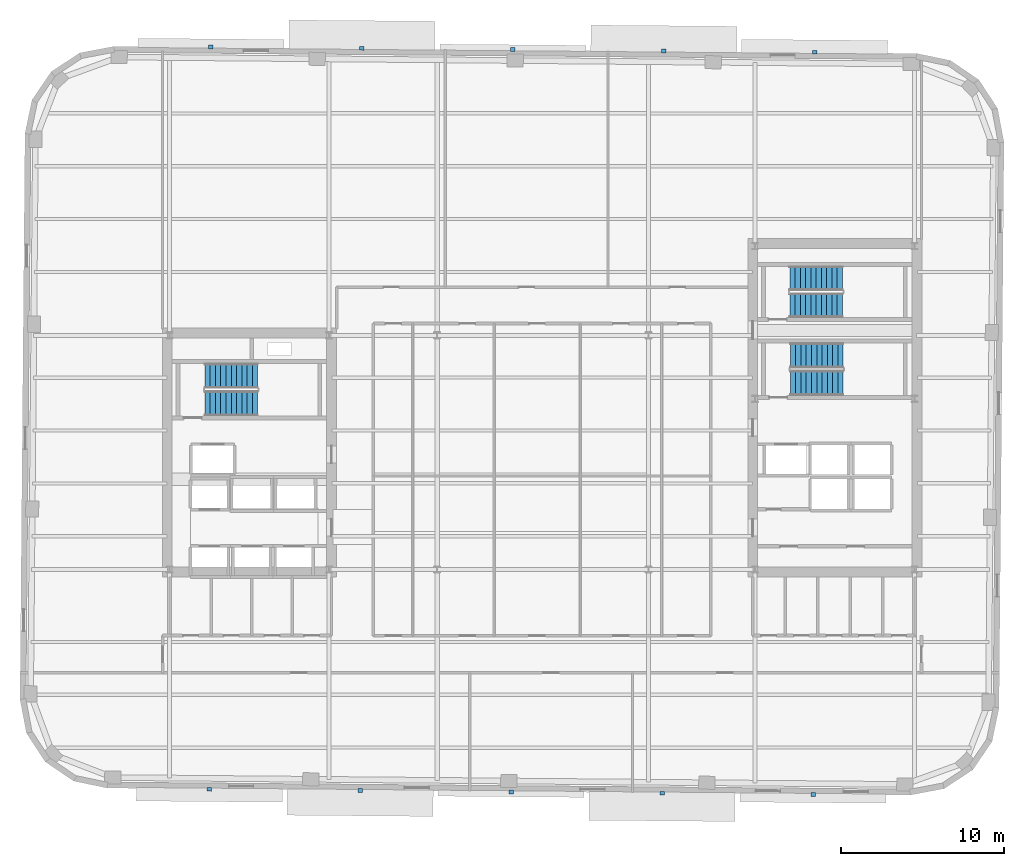
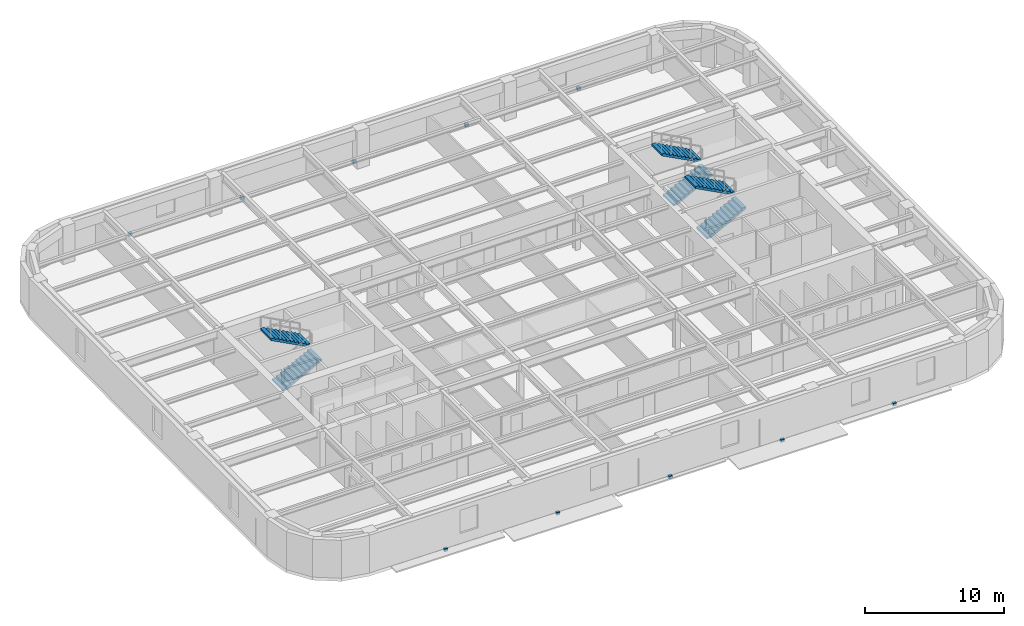
# One storey, part 7 of 11: 10 discrete accessories, 6 stair flights, 3 elements without a shape of their own.
"""IFC4 building model written with IfcOpenShell, lengths in metres."""

from ifc_helpers import new_model, si_unit, direction, frame, origin, origin_2d, place, context, subcontext, project, spatial, polyline, rectangle, outline, extrude, material, type_object, element, aggregate, save


model = new_model("IFC4")

# Units and contexts
model_context = context("Model", 3, precision=1e-05, world=origin(), true_north=direction((0.0, 1.0)))
body_context = subcontext(model_context, "Body", "Model", "MODEL_VIEW")
ifc_project = project(units=[si_unit("LENGTHUNIT", "METRE"), si_unit("AREAUNIT", "SQUARE_METRE"), si_unit("VOLUMEUNIT", "CUBIC_METRE"), si_unit("PLANEANGLEUNIT", "RADIAN"), si_unit("MASSUNIT", "GRAM", prefix="KILO")], contexts=[model_context])

# Site, building, storey
site_placement = place(None, origin())
site = spatial("IfcSite", under=ifc_project, at=site_placement, CompositionType="ELEMENT")
building_placement = place(site_placement, origin())
building = spatial("IfcBuilding", under=site, at=building_placement, Name="Kolvaren Arena Tower", CompositionType="ELEMENT")
storey_placement = place(building_placement, frame((0.0, 0.0, 207.199951171875)))
storey = spatial("IfcBuildingStorey", under=building, at=storey_placement, Name="L50", CompositionType="ELEMENT", Elevation=207.199951171875)

# Stair, stair flights
ifc_material_1 = material(Name="Concrete 45 MPa", Category="concrete")
stair_type_1 = type_object("IfcStairType", Name="STAIR-CORE-150", PredefinedType="HALF_TURN_STAIR", material=ifc_material_1)
stair_1_placement = place(storey_placement, origin())
stair_1 = element("IfcStair", 1, at=stair_1_placement, inside=storey, type_object=stair_type_1, Name="L50 ST-E2", PredefinedType="HALF_TURN_STAIR")
stair_flight_type_1 = type_object("IfcStairFlightType", Name="FLT-150", PredefinedType="STRAIGHT", material=ifc_material_1)
stair_flight_1_placement = place(storey_placement, frame((52.679931640625, 35.699951171875, 0.0), z_axis=(0.0, 0.0, 1.0), x_axis=(1.0, 0.0, 0.0)))
stair_flight_1 = element("IfcStairFlight", 2, at=stair_flight_1_placement, type_object=stair_flight_type_1, Name="ST-E2 flight 1", NumberOfRisers=11, NumberOfTreads=10, PredefinedType="STRAIGHT", RiserHeight=0.170454545, TreadLength=0.324, context=body_context, shape_type="SweptSolid", body=[
    extrude(outline(polyline([(0.0, 0.0), (0.0, 0.17041015625), (0.323974609375, 0.17041015625), (0.323974609375, 0.3408203125), (0.64794921875, 0.3408203125), (0.64794921875, 0.511474609375), (0.971923828125, 0.511474609375), (0.971923828125, 0.681884765625), (1.2958984375, 0.681884765625), (1.2958984375, 0.852294921875), (1.6201171875, 0.852294921875), (1.6201171875, 1.022705078125), (1.944091796875, 1.022705078125), (1.944091796875, 1.193115234375), (2.26806640625, 1.193115234375), (2.26806640625, 1.363525390625), (2.592041015625, 1.363525390625), (2.592041015625, 1.5341796875), (2.916015625, 1.5341796875), (2.916015625, 1.70458984375), (3.239990234375, 1.70458984375), (3.239990234375, 1.875), (3.239990234375, 1.53515625), (0.322021484375, 0.0), (0.0, 0.0)])), frame((0.0, 0.75, 0.0), z_axis=(0.0, -1.0, 0.0), x_axis=(1.0, 0.0, 0.0)), (0.0, 0.0, 1.0), 1.5),
])
stair_flight_2_placement = place(storey_placement, frame((55.919921875, 37.35009765625, 1.875), z_axis=(0.0, 0.0, 1.0), x_axis=(-1.0, 0.0, 0.0)))
stair_flight_2 = element("IfcStairFlight", 3, at=stair_flight_2_placement, type_object=stair_flight_type_1, Name="ST-E2 flight 2", NumberOfRisers=11, NumberOfTreads=10, PredefinedType="STRAIGHT", RiserHeight=0.170454545, TreadLength=0.324, context=body_context, shape_type="SweptSolid", body=[
    extrude(outline(polyline([(0.0, 0.0), (0.0, 0.17041015625), (0.323974609375, 0.17041015625), (0.323974609375, 0.3408203125), (0.64794921875, 0.3408203125), (0.64794921875, 0.511474609375), (0.971923828125, 0.511474609375), (0.971923828125, 0.681884765625), (1.2958984375, 0.681884765625), (1.2958984375, 0.852294921875), (1.6201171875, 0.852294921875), (1.6201171875, 1.022705078125), (1.944091796875, 1.022705078125), (1.944091796875, 1.193115234375), (2.26806640625, 1.193115234375), (2.26806640625, 1.363525390625), (2.592041015625, 1.363525390625), (2.592041015625, 1.5341796875), (2.916015625, 1.5341796875), (2.916015625, 1.70458984375), (3.239990234375, 1.70458984375), (3.239990234375, 1.875), (3.239990234375, 1.53515625), (0.322021484375, 0.0), (0.0, 0.0)])), frame((0.0, 0.75, 0.0), z_axis=(0.0, -1.0, 0.0), x_axis=(1.0, 0.0, 0.0)), (0.0, 0.0, 1.0), 1.5),
])
aggregate(stair_1, [stair_flight_1, stair_flight_2])

stair_type_2 = type_object("IfcStairType", Name="STAIR-CORE-165", PredefinedType="HALF_TURN_STAIR", material=ifc_material_1)
stair_2_placement = place(storey_placement, origin())
stair_2 = element("IfcStair", 4, at=stair_2_placement, inside=storey, type_object=stair_type_2, Name="L50 ST-W1", PredefinedType="HALF_TURN_STAIR")
stair_flight_type_2 = type_object("IfcStairFlightType", Name="FLT-165", PredefinedType="STRAIGHT", material=ifc_material_1)
stair_flight_3_placement = place(storey_placement, frame((16.719970703125, 29.669921875, 0.0), z_axis=(0.0, 0.0, 1.0), x_axis=(1.0, 0.0, 0.0)))
stair_flight_3 = element("IfcStairFlight", 5, at=stair_flight_3_placement, type_object=stair_flight_type_2, Name="ST-W1 flight 1", NumberOfRisers=11, NumberOfTreads=10, PredefinedType="STRAIGHT", RiserHeight=0.170454545, TreadLength=0.324, context=body_context, shape_type="SweptSolid", body=[
    extrude(outline(polyline([(0.0, 0.0), (0.0, 0.17041015625), (0.323974609375, 0.17041015625), (0.323974609375, 0.3408203125), (0.64794921875, 0.3408203125), (0.64794921875, 0.511474609375), (0.971923828125, 0.511474609375), (0.971923828125, 0.681884765625), (1.2958984375, 0.681884765625), (1.2958984375, 0.852294921875), (1.6201171875, 0.852294921875), (1.6201171875, 1.022705078125), (1.944091796875, 1.022705078125), (1.944091796875, 1.193115234375), (2.26806640625, 1.193115234375), (2.26806640625, 1.363525390625), (2.592041015625, 1.363525390625), (2.592041015625, 1.5341796875), (2.916015625, 1.5341796875), (2.916015625, 1.70458984375), (3.239990234375, 1.70458984375), (3.239990234375, 1.875), (3.239990234375, 1.53515625), (0.322021484375, 0.0), (0.0, 0.0)])), frame((0.0, 0.77001953125, 0.0), z_axis=(0.0, -1.0, 0.0), x_axis=(1.0, 0.0, 0.0)), (0.0, 0.0, 1.0), 1.5400390625),
])
stair_flight_4_placement = place(storey_placement, frame((19.9599609375, 31.360107421875, 1.875), z_axis=(0.0, 0.0, 1.0), x_axis=(-1.0, 0.0, 0.0)))
stair_flight_4 = element("IfcStairFlight", 6, at=stair_flight_4_placement, type_object=stair_flight_type_2, Name="ST-W1 flight 2", NumberOfRisers=11, NumberOfTreads=10, PredefinedType="STRAIGHT", RiserHeight=0.170454545, TreadLength=0.324, context=body_context, shape_type="SweptSolid", body=[
    extrude(outline(polyline([(0.0, 0.0), (0.0, 0.17041015625), (0.323974609375, 0.17041015625), (0.323974609375, 0.3408203125), (0.64794921875, 0.3408203125), (0.64794921875, 0.511474609375), (0.971923828125, 0.511474609375), (0.971923828125, 0.681884765625), (1.2958984375, 0.681884765625), (1.2958984375, 0.852294921875), (1.6201171875, 0.852294921875), (1.6201171875, 1.022705078125), (1.944091796875, 1.022705078125), (1.944091796875, 1.193115234375), (2.26806640625, 1.193115234375), (2.26806640625, 1.363525390625), (2.592041015625, 1.363525390625), (2.592041015625, 1.5341796875), (2.916015625, 1.5341796875), (2.916015625, 1.70458984375), (3.239990234375, 1.70458984375), (3.239990234375, 1.875), (3.239990234375, 1.53515625), (0.322021484375, 0.0), (0.0, 0.0)])), frame((0.0, 0.77001953125, 0.0), z_axis=(0.0, -1.0, 0.0), x_axis=(1.0, 0.0, 0.0)), (0.0, 0.0, 1.0), 1.5400390625),
])
aggregate(stair_2, [stair_flight_3, stair_flight_4])

stair_3_placement = place(storey_placement, origin())
stair_3 = element("IfcStair", 7, at=stair_3_placement, inside=storey, type_object=stair_type_2, Name="L50 ST-E1", PredefinedType="HALF_TURN_STAIR")
stair_flight_5_placement = place(storey_placement, frame((52.719970703125, 30.919921875, 0.0), z_axis=(0.0, 0.0, 1.0), x_axis=(1.0, 0.0, 0.0)))
stair_flight_5 = element("IfcStairFlight", 8, at=stair_flight_5_placement, type_object=stair_flight_type_2, Name="ST-E1 flight 1", NumberOfRisers=11, NumberOfTreads=10, PredefinedType="STRAIGHT", RiserHeight=0.170454545, TreadLength=0.324, context=body_context, shape_type="SweptSolid", body=[
    extrude(outline(polyline([(0.0, 0.0), (0.0, 0.17041015625), (0.323974609375, 0.17041015625), (0.323974609375, 0.3408203125), (0.64794921875, 0.3408203125), (0.64794921875, 0.511474609375), (0.971923828125, 0.511474609375), (0.971923828125, 0.681884765625), (1.2958984375, 0.681884765625), (1.2958984375, 0.852294921875), (1.6201171875, 0.852294921875), (1.6201171875, 1.022705078125), (1.944091796875, 1.022705078125), (1.944091796875, 1.193115234375), (2.26806640625, 1.193115234375), (2.26806640625, 1.363525390625), (2.592041015625, 1.363525390625), (2.592041015625, 1.5341796875), (2.916015625, 1.5341796875), (2.916015625, 1.70458984375), (3.239990234375, 1.70458984375), (3.239990234375, 1.875), (3.239990234375, 1.53515625), (0.322021484375, 0.0), (0.0, 0.0)])), frame((0.0, 0.77001953125, 0.0), z_axis=(0.0, -1.0, 0.0), x_axis=(1.0, 0.0, 0.0)), (0.0, 0.0, 1.0), 1.5400390625),
])
stair_flight_6_placement = place(storey_placement, frame((55.9599609375, 32.610107421875, 1.875), z_axis=(0.0, 0.0, 1.0), x_axis=(-1.0, 0.0, 0.0)))
stair_flight_6 = element("IfcStairFlight", 9, at=stair_flight_6_placement, type_object=stair_flight_type_2, Name="ST-E1 flight 2", NumberOfRisers=11, NumberOfTreads=10, PredefinedType="STRAIGHT", RiserHeight=0.170454545, TreadLength=0.324, context=body_context, shape_type="SweptSolid", body=[
    extrude(outline(polyline([(0.0, 0.0), (0.0, 0.17041015625), (0.323974609375, 0.17041015625), (0.323974609375, 0.3408203125), (0.64794921875, 0.3408203125), (0.64794921875, 0.511474609375), (0.971923828125, 0.511474609375), (0.971923828125, 0.681884765625), (1.2958984375, 0.681884765625), (1.2958984375, 0.852294921875), (1.6201171875, 0.852294921875), (1.6201171875, 1.022705078125), (1.944091796875, 1.022705078125), (1.944091796875, 1.193115234375), (2.26806640625, 1.193115234375), (2.26806640625, 1.363525390625), (2.592041015625, 1.363525390625), (2.592041015625, 1.5341796875), (2.916015625, 1.5341796875), (2.916015625, 1.70458984375), (3.239990234375, 1.70458984375), (3.239990234375, 1.875), (3.239990234375, 1.53515625), (0.322021484375, 0.0), (0.0, 0.0)])), frame((0.0, 0.77001953125, 0.0), z_axis=(0.0, -1.0, 0.0), x_axis=(1.0, 0.0, 0.0)), (0.0, 0.0, 1.0), 1.5400390625),
])
aggregate(stair_3, [stair_flight_5, stair_flight_6])

# Discrete accessories
ifc_material_2 = material(Name="Stainless steel facade support bracket", Category="steel")
discrete_accessory_type = type_object("IfcDiscreteAccessoryType", Name="ACC-BRKT-1", PredefinedType="BRACKET", material=ifc_material_2)
for number, where, z_axis, x_axis, name in (
    (10, (17.08984375, 51.58251953125, -0.18017578125), (0.0, 0.0, 1.0), (0.999961923064, -0.008726535498, 0.0), "Sunshade Support Bracket (L50)"),
    (11, (26.369384765625, 51.50146484375, -0.18017578125), (0.0, 0.0, 1.0), (0.999961923064, -0.008726535498, 0.0), "Sunshade Support Bracket (L50)"),
    (12, (35.649169921875, 51.42041015625, -0.18017578125), (0.0, 0.0, 1.0), (0.999961923064, -0.008726535498, 0.0), "Sunshade Support Bracket (L50)"),
    (13, (44.9287109375, 51.339599609375, -0.18017578125), (0.0, 0.0, 1.0), (0.999961923064, -0.008726535498, 0.0), "Sunshade Support Bracket (L50)"),
    (14, (54.20849609375, 51.258544921875, -0.18017578125), (0.0, 0.0, 1.0), (0.999961923064, -0.008726535498, 0.0), "Sunshade Support Bracket (L50)"),
    (15, (54.110107421875, 5.61767578125, -0.18017578125), (0.0, 0.0, 1.0), (-0.999961923064, 0.008726535498, 0.0), "Sunshade Support Bracket (L50)"),
    (16, (44.83056640625, 5.698486328125, -0.18017578125), (0.0, 0.0, 1.0), (-0.999961923064, 0.008726535498, 0.0), "Sunshade Support Bracket (L50)"),
    (17, (35.55078125, 5.779541015625, -0.18017578125), (0.0, 0.0, 1.0), (-0.999961923064, 0.008726535498, 0.0), "Sunshade Support Bracket (L50)"),
    (18, (26.271240234375, 5.860595703125, -0.18017578125), (0.0, 0.0, 1.0), (-0.999961923064, 0.008726535498, 0.0), "Sunshade Support Bracket (L50)"),
    (19, (16.99169921875, 5.94140625, -0.18017578125), (0.0, 0.0, 1.0), (-0.999961923064, 0.008726535498, 0.0), "Sunshade Support Bracket (L50)"),
):
    element("IfcDiscreteAccessory", number, at=place(storey_placement, frame(where, z_axis=z_axis, x_axis=x_axis)), inside=storey, type_object=discrete_accessory_type, Name=name, PredefinedType="BRACKET", context=body_context, shape_type="SweptSolid", body=[
        extrude(rectangle(XDim=0.280029296875, YDim=0.239990234375, at=origin_2d()), origin(), (0.0, 0.0, 1.0), 0.239990234375),
    ])

save(model, "model.ifc")
